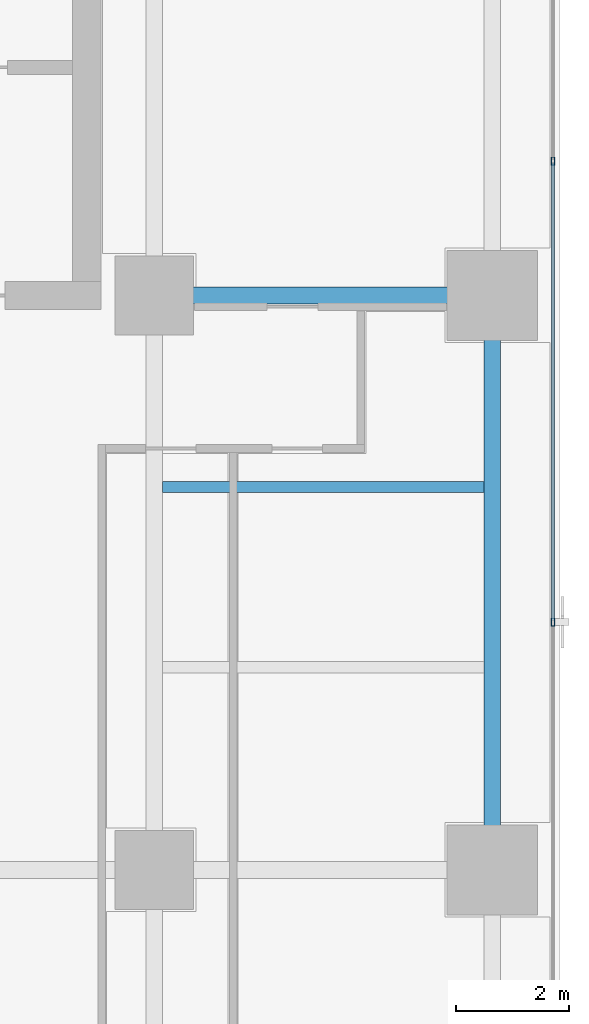
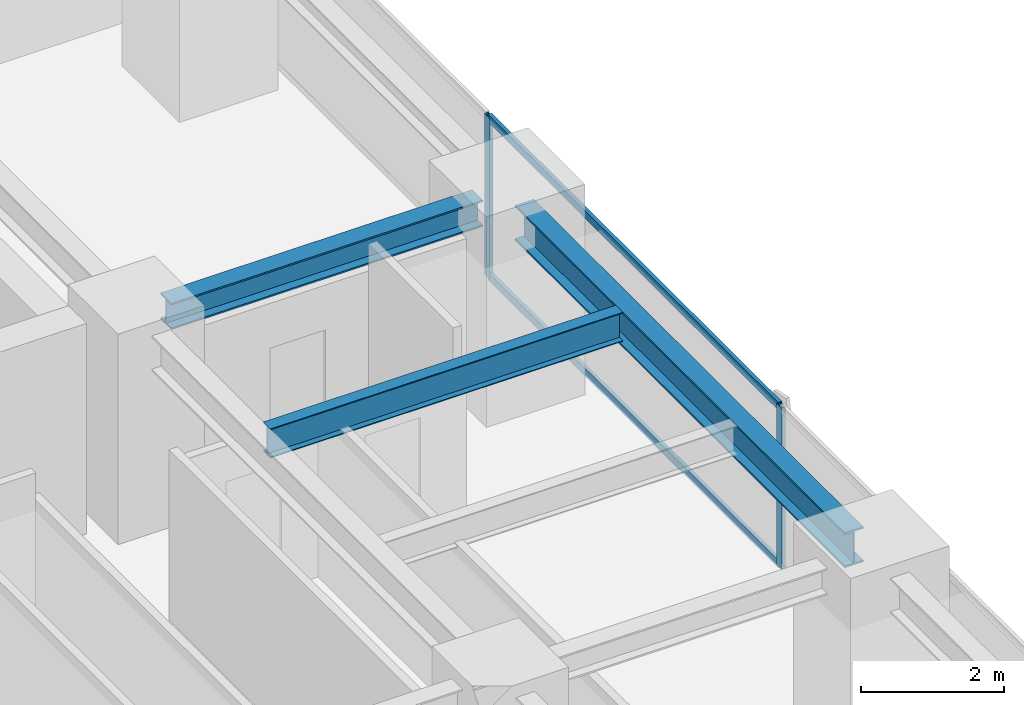
# One storey, part 17 of 29: 4 members, 3 beams, 1 element without a shape of its own.
"""IFC4 building model written with IfcOpenShell, lengths in metres."""

from ifc_helpers import new_model, si_unit, direction, frame, origin, origin_2d, place, context, subcontext, project, spatial, hollow_rectangle, i_section, extrude, source, transform, mapped, material, layer, layer_set, material_profile, profile_set, type_object, element, aggregate, save


model = new_model("IFC4")

# Units and contexts
model_context = context("Model", 3, precision=1e-05, world=origin(), true_north=direction((0.0, 1.0)))
body_context = subcontext(model_context, "Body", "Model", "MODEL_VIEW")
ifc_project = project(units=[si_unit("LENGTHUNIT", "METRE"), si_unit("AREAUNIT", "SQUARE_METRE"), si_unit("VOLUMEUNIT", "CUBIC_METRE"), si_unit("PLANEANGLEUNIT", "RADIAN"), si_unit("MASSUNIT", "GRAM", prefix="KILO")], contexts=[model_context])

# Site, building, storey
site_placement = place(None, origin())
site = spatial("IfcSite", under=ifc_project, at=site_placement, CompositionType="ELEMENT")
building_placement = place(site_placement, origin())
building = spatial("IfcBuilding", under=site, at=building_placement, Name="Sumidabori Civic Tower", CompositionType="ELEMENT")
storey_placement = place(building_placement, frame((0.0, 0.0, 203.60009765625)))
storey = spatial("IfcBuildingStorey", under=building, at=storey_placement, Name="L52", CompositionType="ELEMENT", Elevation=203.60009765625)

# Beams
ifc_material_1 = material(Name="Steel SN490", Category="steel")
ifc_material_profile_1 = material_profile(ifc_material_1, i_section(OverallWidth=0.300048828125, OverallDepth=0.60009765625, WebThickness=0.015380859375, FlangeThickness=0.030029296875, at=origin_2d()), Name="HE 600 B")
ifc_profile_set_1 = profile_set([ifc_material_profile_1], Name="Steel SN490")
beam_type_1 = type_object("IfcBeamType", Name="BM-GIRD-600", PredefinedType="BEAM", material=ifc_profile_set_1)
shared_shape_1 = source(origin(), body_context, "Body", "SweptSolid", [
    extrude(i_section(OverallWidth=0.300048828125, OverallDepth=0.60009765625, WebThickness=0.015380859375, FlangeThickness=0.030029296875, at=origin_2d()), origin(), (0.0, 0.0, 1.0), 9.239990234375),
])
beam_1_placement = place(storey_placement, frame((22.800048828125, 0.47998046875, 3.079833984375), z_axis=(0.0, 1.0, 0.0), x_axis=(-1.0, 0.0, 0.0)))
element("IfcBeam", 1, at=beam_1_placement, inside=storey, type_object=beam_type_1, Name="Primary Girder L52 GY-23", PredefinedType="BEAM", context=body_context, shape_type="MappedRepresentation", body=[
    mapped(shared_shape_1, transform((0.0, 0.0, 0.0), x_axis=(1.0, 0.0, 0.0), y_axis=(0.0, 1.0, 0.0), z_axis=(0.0, 0.0, 1.0), scale=1.0)),
])
ifc_material_profile_2 = material_profile(ifc_material_1, i_section(OverallWidth=0.199951171875, OverallDepth=0.5, WebThickness=0.01025390625, FlangeThickness=0.01611328125, at=origin_2d()), Name="IPE 500")
ifc_profile_set_2 = profile_set([ifc_material_profile_2], Name="Steel SN490")
beam_type_2 = type_object("IfcBeamType", Name="BM-JST-500", PredefinedType="JOIST", material=ifc_profile_set_2)
shared_shape_2 = source(origin(), body_context, "Body", "SweptSolid", [
    extrude(i_section(OverallWidth=0.199951171875, OverallDepth=0.5, WebThickness=0.01025390625, FlangeThickness=0.01611328125, at=origin_2d()), origin(), (0.0, 0.0, 1.0), 5.699951171875),
])
beam_2_placement = place(storey_placement, frame((16.949951171875, 6.800048828125, 3.1298828125), z_axis=(1.0, 0.0, 0.0), x_axis=(0.0, 1.0, 0.0)))
element("IfcBeam", 2, at=beam_2_placement, inside=storey, type_object=beam_type_2, Name="Outer Bay Floor Joist L52 JSTO-32", PredefinedType="JOIST", context=body_context, shape_type="MappedRepresentation", body=[
    mapped(shared_shape_2, transform((0.0, 0.0, 0.0), x_axis=(1.0, 0.0, 0.0), y_axis=(0.0, 1.0, 0.0), z_axis=(0.0, 0.0, 1.0), scale=1.0)),
])
ifc_material_profile_3 = material_profile(ifc_material_1, i_section(OverallWidth=0.300048828125, OverallDepth=0.449951171875, WebThickness=0.013916015625, FlangeThickness=0.02587890625, at=origin_2d()), Name="HE 450 B")
ifc_profile_set_3 = profile_set([ifc_material_profile_3], Name="Steel SN490")
beam_type_3 = type_object("IfcBeamType", Name="BM-GIRD-450", PredefinedType="BEAM", material=ifc_profile_set_3)
shared_shape_3 = source(origin(), body_context, "Body", "SweptSolid", [
    extrude(i_section(OverallWidth=0.300048828125, OverallDepth=0.449951171875, WebThickness=0.013916015625, FlangeThickness=0.02587890625, at=origin_2d()), origin(), (0.0, 0.0, 1.0), 5.0400390625),
])
beam_3_placement = place(storey_placement, frame((17.280029296875, 10.199951171875, 3.15478515625), z_axis=(1.0, 0.0, 0.0), x_axis=(0.0, 1.0, 0.0)))
element("IfcBeam", 3, at=beam_3_placement, inside=storey, type_object=beam_type_3, Name="Primary Girder L52 GX-10", PredefinedType="BEAM", context=body_context, shape_type="MappedRepresentation", body=[
    mapped(shared_shape_3, transform((0.0, 0.0, 0.0), x_axis=(1.0, 0.0, 0.0), y_axis=(0.0, 1.0, 0.0), z_axis=(0.0, 0.0, 1.0), scale=1.0)),
])

# Curtain wall, members
ifc_material_2 = material(Name="Anodised Bronze Aluminium AW-6063-T6", Category="aluminium")
ifc_layer = layer(ifc_material_2, 0.179931640625, Name="Anodised Bronze Aluminium AW-6063-T6")
ifc_layer_set = layer_set([ifc_layer], Name="Anodised Bronze Aluminium AW-6063-T6")
curtain_wall_type = type_object("IfcCurtainWallType", Name="CW-SYS-5", PredefinedType="NOTDEFINED", material=ifc_layer_set)
curtain_wall_placement = place(storey_placement, origin())
curtain_wall = element("IfcCurtainWall", 4, at=curtain_wall_placement, inside=storey, type_object=curtain_wall_type, Name="Curtain Wall CW:L52:R10", PredefinedType="NOTDEFINED")
ifc_material_profile_4 = material_profile(ifc_material_2, hollow_rectangle(XDim=0.06005859375, YDim=0.139892578125, WallThickness=0.0048828125, at=origin_2d()), Name="ALU MULLION 140x60")
ifc_profile_set_4 = profile_set([ifc_material_profile_4], Name="Anodised Bronze Aluminium AW-6063-T6")
member_type_1 = type_object("IfcMemberType", Name="CW-MUL-140", PredefinedType="MULLION", material=ifc_profile_set_4)
shared_shape_4 = source(origin(), body_context, "Body", "SweptSolid", [
    extrude(hollow_rectangle(XDim=0.06005859375, YDim=0.139892578125, WallThickness=0.0048828125, at=origin_2d()), origin(), (0.0, 0.0, 1.0), 2.760009765625),
])
member_1_placement = place(storey_placement, frame((23.8798828125, 4.39990234375, 0.0), z_axis=(0.0, 0.0, 1.0), x_axis=(-1.0, 0.0, 0.0)))
member_1 = element("IfcMember", 5, at=member_1_placement, type_object=member_type_1, Name="CW-5 mullion 3", PredefinedType="MULLION", context=body_context, shape_type="MappedRepresentation", body=[
    mapped(shared_shape_4, transform((0.0, 0.0, 0.0), x_axis=(1.0, 0.0, 0.0), y_axis=(0.0, 1.0, 0.0), z_axis=(0.0, 0.0, 1.0), scale=1.0)),
])
member_2_placement = place(storey_placement, frame((23.8798828125, 12.5849609375, 0.0), z_axis=(0.0, 0.0, 1.0), x_axis=(-1.0, 0.0, 0.0)))
member_2 = element("IfcMember", 6, at=member_2_placement, type_object=member_type_1, Name="CW-5 mullion 4", PredefinedType="MULLION", context=body_context, shape_type="MappedRepresentation", body=[
    mapped(shared_shape_4, transform((0.0, 0.0, 0.0), x_axis=(1.0, 0.0, 0.0), y_axis=(0.0, 1.0, 0.0), z_axis=(0.0, 0.0, 1.0), scale=1.0)),
])
ifc_material_profile_5 = material_profile(ifc_material_2, hollow_rectangle(XDim=0.06005859375, YDim=0.1298828125, WallThickness=0.0048828125, at=origin_2d()), Name="ALU TRANSOM 130x60")
ifc_profile_set_5 = profile_set([ifc_material_profile_5], Name="Anodised Bronze Aluminium AW-6063-T6")
member_type_2 = type_object("IfcMemberType", Name="CW-TRN-130", PredefinedType="USERDEFINED", material=ifc_profile_set_5)
shared_shape_5 = source(origin(), body_context, "Body", "SweptSolid", [
    extrude(hollow_rectangle(XDim=0.06005859375, YDim=0.1298828125, WallThickness=0.0048828125, at=origin_2d()), origin(), (0.0, 0.0, 1.0), 8.125),
])
member_3_placement = place(storey_placement, frame((23.8798828125, 4.429931640625, 0.02978515625), z_axis=(0.0, 1.0, 0.0), x_axis=(-1.0, 0.0, 0.0)))
member_3 = element("IfcMember", 7, at=member_3_placement, type_object=member_type_2, Name="CW-5 transom 3.1", ObjectType="TRANSOM", PredefinedType="USERDEFINED", context=body_context, shape_type="MappedRepresentation", body=[
    mapped(shared_shape_5, transform((0.0, 0.0, 0.0), x_axis=(1.0, 0.0, 0.0), y_axis=(0.0, 1.0, 0.0), z_axis=(0.0, 0.0, 1.0), scale=1.0)),
])
member_4_placement = place(storey_placement, frame((23.8798828125, 4.429931640625, 2.72998046875), z_axis=(0.0, 1.0, 0.0), x_axis=(-1.0, 0.0, 0.0)))
member_4 = element("IfcMember", 8, at=member_4_placement, type_object=member_type_2, Name="CW-5 transom 3.2", ObjectType="TRANSOM", PredefinedType="USERDEFINED", context=body_context, shape_type="MappedRepresentation", body=[
    mapped(shared_shape_5, transform((0.0, 0.0, 0.0), x_axis=(1.0, 0.0, 0.0), y_axis=(0.0, 1.0, 0.0), z_axis=(0.0, 0.0, 1.0), scale=1.0)),
])
aggregate(curtain_wall, [member_1, member_2, member_3, member_4])

save(model, "model.ifc")
